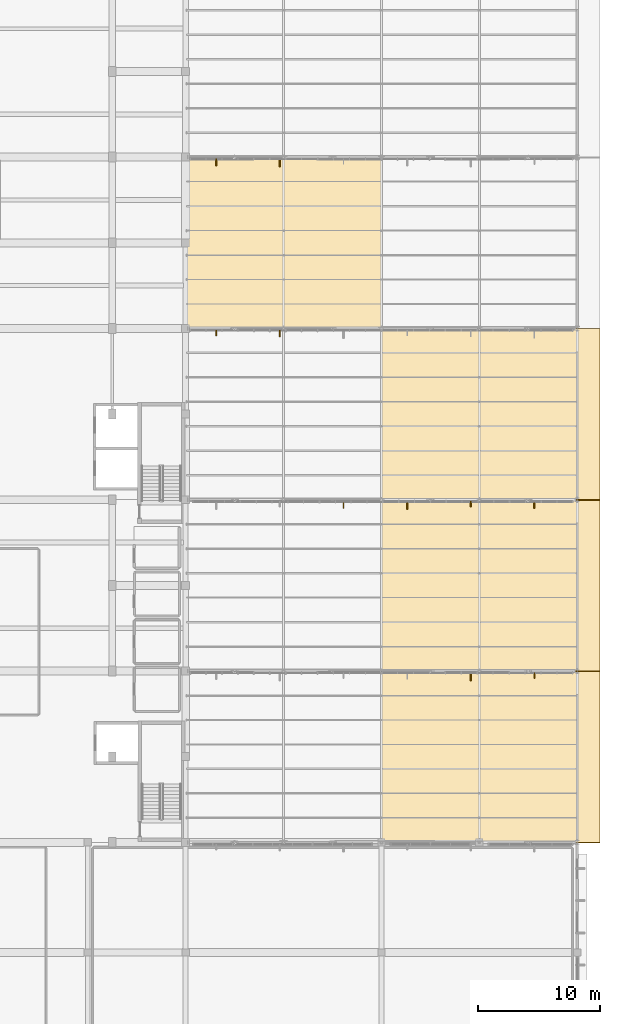
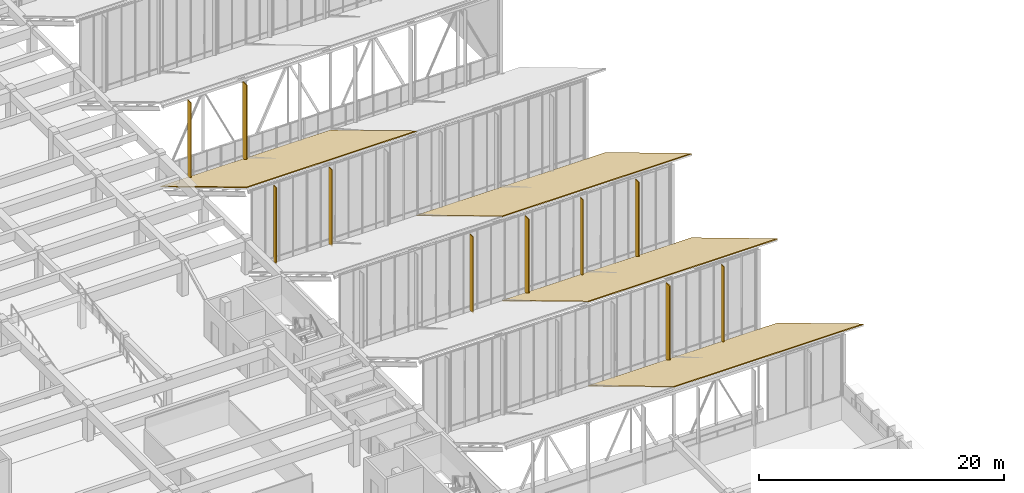
# One storey, part 151 of 155: 10 shading devices, 4 coverings.
"""IFC4 building model written with IfcOpenShell, lengths in metres."""

from ifc_helpers import new_model, si_unit, direction, frame, origin, origin_2d, place, context, subcontext, project, spatial, polyline, rectangle, outline, extrude, material, layer, layer_set, type_object, element, save


model = new_model("IFC4")

# Units and contexts
model_context = context("Model", 3, precision=1e-05, world=origin(), true_north=direction((0.0, 1.0)))
body_context = subcontext(model_context, "Body", "Model", "MODEL_VIEW")
ifc_project = project(units=[si_unit("LENGTHUNIT", "METRE"), si_unit("AREAUNIT", "SQUARE_METRE"), si_unit("VOLUMEUNIT", "CUBIC_METRE"), si_unit("PLANEANGLEUNIT", "RADIAN"), si_unit("MASSUNIT", "GRAM", prefix="KILO")], contexts=[model_context])

# Site, building, storey
site_placement = place(None, origin())
site = spatial("IfcSite", under=ifc_project, at=site_placement, CompositionType="ELEMENT")
building_placement = place(site_placement, origin())
building = spatial("IfcBuilding", under=site, at=building_placement, Name="Larkveld Mobility Hub", CompositionType="ELEMENT")
storey_placement = place(building_placement, frame((0.0, 0.0, 8.39990234375)))
storey = spatial("IfcBuildingStorey", under=building, at=storey_placement, Name="L02", CompositionType="ELEMENT", Elevation=8.39990234375)

# Coverings
ifc_material_1 = material(Name="Standing-seam zinc-alume roofing", Category="aluminium")
ifc_layer_1 = layer(ifc_material_1, 0.080078125, Name="Standing-seam zinc-alume roofing", Category="aluminium")
ifc_layer_set_1 = layer_set([ifc_layer_1], Name="Standing-seam zinc-alume roofing")
covering_type = type_object("IfcCoveringType", Name="COV-RFG-01", PredefinedType="ROOFING", material=ifc_layer_set_1)
for number, where, z_axis, x_axis, name in (
    (1, (168.0, 28.0, 8.482177734375), (0.0, 0.51450235251, 0.857488967429), (1.0, 0.0, 0.0), "Sawtooth Standing-Seam Metal Roof B1.2"),
    (2, (168.0, 42.0, 8.482177734375), (0.0, 0.51450235251, 0.857488967429), (1.0, 0.0, 0.0), "Sawtooth Standing-Seam Metal Roof B2.2"),
    (3, (168.0, 56.0, 8.482177734375), (0.0, 0.51450235251, 0.857488967429), (1.0, 0.0, 0.0), "Sawtooth Standing-Seam Metal Roof B3.2"),
):
    element("IfcCovering", number, at=place(storey_placement, frame(where, z_axis=z_axis, x_axis=x_axis)), inside=storey, type_object=covering_type, Name=name, PredefinedType="ROOFING", context=body_context, shape_type="SweptSolid", body=[
        extrude(outline(polyline([(0.0, 0.0), (17.85009765625, 0.0), (17.85009765625, 16.3267406716392), (0.0, 16.3267406716392), (0.0, 0.0)])), origin(), (0.0, 0.0, -1.0), 0.080078125),
    ])
covering_placement = place(storey_placement, frame((152.0, 70.0, 8.482177734375), z_axis=(0.0, 0.51450235251, 0.857488967429), x_axis=(1.0, 0.0, 0.0)))
element("IfcCovering", 4, at=covering_placement, inside=storey, type_object=covering_type, Name="Sawtooth Standing-Seam Metal Roof B4.1", PredefinedType="ROOFING", context=body_context, shape_type="SweptSolid", body=[
    extrude(outline(polyline([(0.0, 0.0), (16.0, 0.0), (16.0, 16.326740671639204), (0.0, 16.326740671639204), (0.0, 0.0)])), origin(), (0.0, 0.0, -1.0), 0.080078125),
])

# Shading devices
ifc_material_2 = material(Name="Precast concrete C50/60", Category="concrete")
ifc_layer_2 = layer(ifc_material_2, 0.06494140625, Name="Precast concrete C50/60", Category="concrete")
ifc_layer_set_2 = layer_set([ifc_layer_2], Name="Precast concrete C50/60")
shading_device_type_1 = type_object("IfcShadingDeviceType", Name="SHD-JAL-01", PredefinedType="JALOUSIE", material=ifc_layer_set_2)
for number, where, z_axis, x_axis, name in (
    (5, (180.5, 41.639892578125, 0.300048828125), (0.0, 0.0, 1.0), (1.0, 0.0, 0.0), "Sawtooth South-Light Brise-Soleil Fin SF-012"),
    (6, (175.300048828125, 55.639892578125, 0.300048828125), (0.0, 0.0, 1.0), (1.0, 0.0, 0.0), "Sawtooth South-Light Brise-Soleil Fin SF-017"),
    (7, (154.5, 69.639892578125, 0.300048828125), (0.0, 0.0, 1.0), (1.0, 0.0, 0.0), "Sawtooth South-Light Brise-Soleil Fin SF-019"),
):
    element("IfcShadingDevice", number, at=place(storey_placement, frame(where, z_axis=z_axis, x_axis=x_axis)), inside=storey, type_object=shading_device_type_1, Name=name, PredefinedType="JALOUSIE", context=body_context, shape_type="SweptSolid", body=[
        extrude(rectangle(XDim=0.06494140625, YDim=0.449951171875, at=origin_2d()), origin(), (0.0, 0.0, 1.0), 7.60009765625),
    ])
ifc_layer_3 = layer(ifc_material_2, 0.074951171875, Name="Precast concrete C50/60", Category="concrete")
ifc_layer_set_3 = layer_set([ifc_layer_3], Name="Precast concrete C50/60")
shading_device_type_2 = type_object("IfcShadingDeviceType", Name="SHD-JAL-02", PredefinedType="JALOUSIE", material=ifc_layer_set_3)
for number, where, z_axis, x_axis, name in (
    (8, (164.89990234375, 55.590087890625, 0.300048828125), (0.0, 0.0, 1.0), (1.0, 0.0, 0.0), "Sawtooth South-Light Brise-Soleil Fin SF-015"),
    (9, (180.5, 55.590087890625, 0.300048828125), (0.0, 0.0, 1.0), (1.0, 0.0, 0.0), "Sawtooth South-Light Brise-Soleil Fin SF-018"),
    (10, (159.699951171875, 69.590087890625, 0.300048828125), (0.0, 0.0, 1.0), (1.0, 0.0, 0.0), "Sawtooth South-Light Brise-Soleil Fin SF-020"),
    (11, (154.5, 83.590087890625, 0.300048828125), (0.0, 0.0, 1.0), (1.0, 0.0, 0.0), "Sawtooth South-Light Brise-Soleil Fin SF-025"),
):
    element("IfcShadingDevice", number, at=place(storey_placement, frame(where, z_axis=z_axis, x_axis=x_axis)), inside=storey, type_object=shading_device_type_2, Name=name, PredefinedType="JALOUSIE", context=body_context, shape_type="SweptSolid", body=[
        extrude(rectangle(XDim=0.074951171875, YDim=0.550048828125, at=origin_2d()), origin(), (0.0, 0.0, 1.0), 7.60009765625),
    ])
ifc_layer_4 = layer(ifc_material_2, 0.0849609375, Name="Precast concrete C50/60", Category="concrete")
ifc_layer_set_4 = layer_set([ifc_layer_4], Name="Precast concrete C50/60")
shading_device_type_3 = type_object("IfcShadingDeviceType", Name="SHD-JAL-03", PredefinedType="JALOUSIE", material=ifc_layer_set_4)
for number, where, z_axis, x_axis, name in (
    (12, (175.300048828125, 41.5400390625, 0.300048828125), (0.0, 0.0, 1.0), (1.0, 0.0, 0.0), "Sawtooth South-Light Brise-Soleil Fin SF-011"),
    (13, (170.10009765625, 55.5400390625, 0.300048828125), (0.0, 0.0, 1.0), (1.0, 0.0, 0.0), "Sawtooth South-Light Brise-Soleil Fin SF-016"),
    (14, (159.699951171875, 83.5400390625, 0.300048828125), (0.0, 0.0, 1.0), (1.0, 0.0, 0.0), "Sawtooth South-Light Brise-Soleil Fin SF-026"),
):
    element("IfcShadingDevice", number, at=place(storey_placement, frame(where, z_axis=z_axis, x_axis=x_axis)), inside=storey, type_object=shading_device_type_3, Name=name, PredefinedType="JALOUSIE", context=body_context, shape_type="SweptSolid", body=[
        extrude(rectangle(XDim=0.0849609375, YDim=0.64990234375, at=origin_2d()), origin(), (0.0, 0.0, 1.0), 7.60009765625),
    ])

save(model, "model.ifc")
